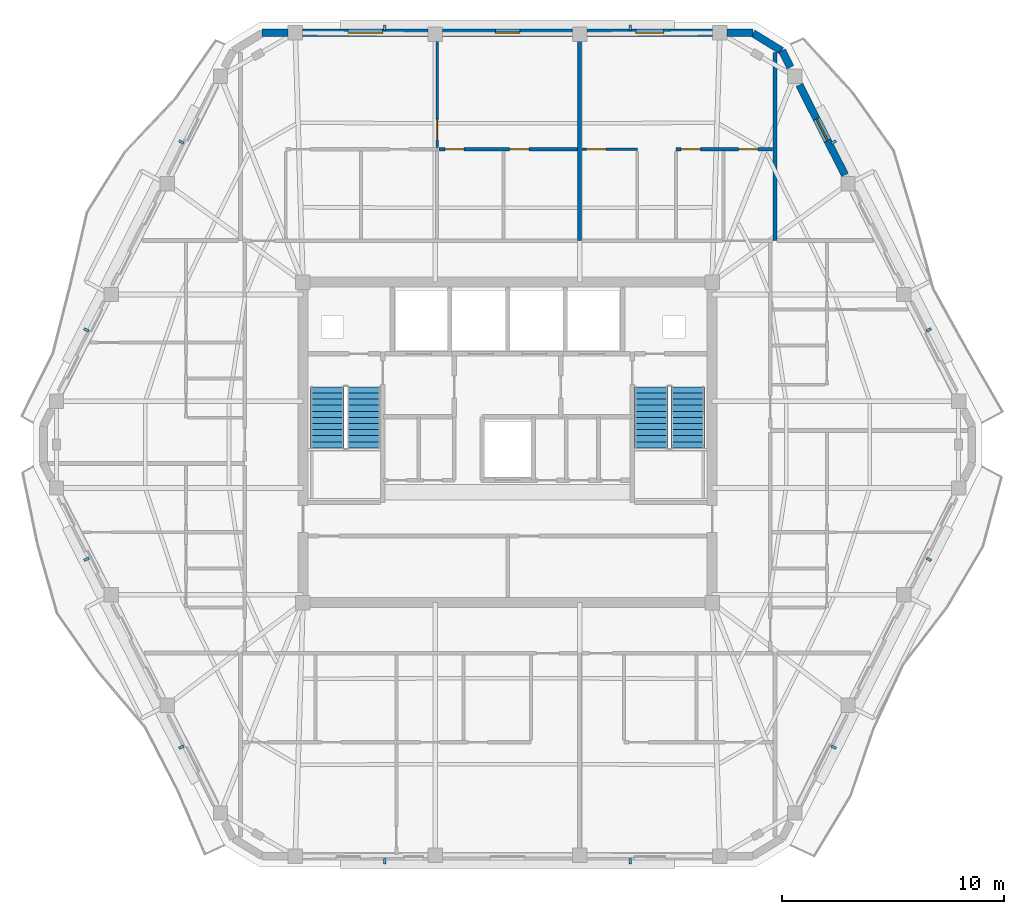
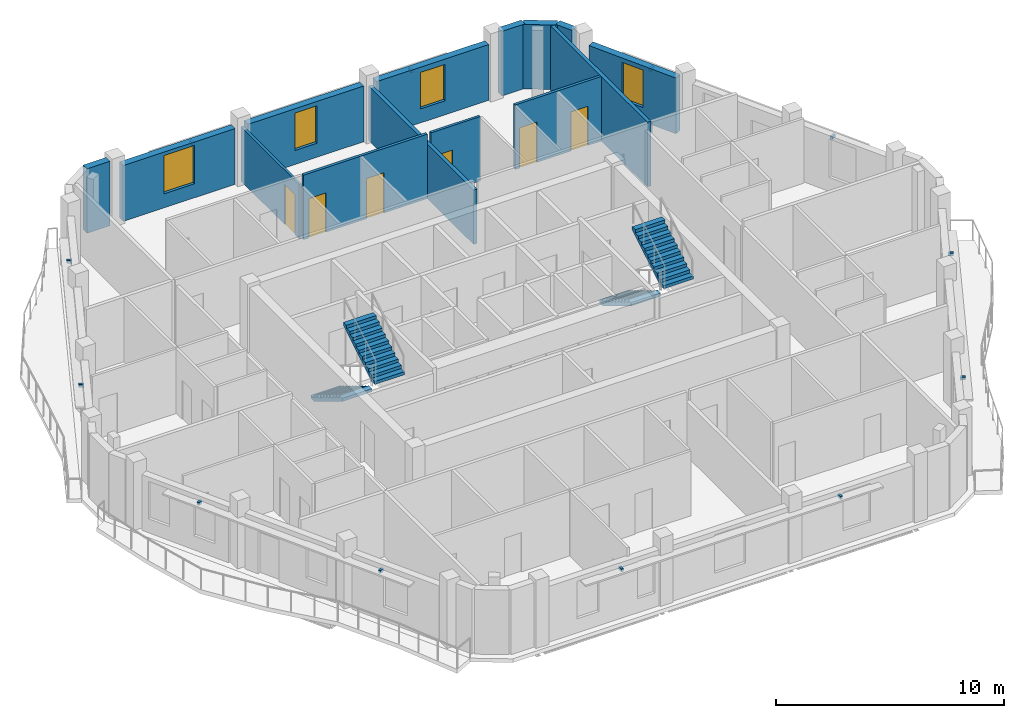
# One storey, part 8 of 11: 14 walls, 12 discrete accessories, 6 doors, 4 stair flights, 4 windows, 10 openings, 2 elements without a shape of their own.
"""IFC4 building model written with IfcOpenShell, lengths in metres."""

from ifc_helpers import new_model, si_unit, direction, frame, frame_2d, origin, origin_2d, place, context, subcontext, project, spatial, polyline, rectangle, outline, extrude, material, layer, layer_set, type_object, element, fill, aggregate, save


model = new_model("IFC4")

# Units and contexts
model_context = context("Model", 3, precision=1e-05, world=origin(), true_north=direction((0.0, 1.0)))
body_context = subcontext(model_context, "Body", "Model", "MODEL_VIEW")
ifc_project = project(units=[si_unit("LENGTHUNIT", "METRE"), si_unit("AREAUNIT", "SQUARE_METRE"), si_unit("VOLUMEUNIT", "CUBIC_METRE"), si_unit("PLANEANGLEUNIT", "RADIAN"), si_unit("MASSUNIT", "GRAM", prefix="KILO")], contexts=[model_context])

# Site, building, storey
site_placement = place(None, origin())
site = spatial("IfcSite", under=ifc_project, at=site_placement, CompositionType="ELEMENT")
building_placement = place(site_placement, origin())
building = spatial("IfcBuilding", under=site, at=building_placement, Name="Cinnabar Lancet Tower", CompositionType="ELEMENT")
storey_placement = place(building_placement, frame((0.0, 0.0, 259.85009765625)))
storey = spatial("IfcBuildingStorey", under=building, at=storey_placement, Name="L69", CompositionType="ELEMENT", Elevation=259.85009765625)

# Walls
ifc_material_1 = material(Name="Fire-rated twin-frame acoustic drywall", Category="gypsum")
ifc_layer_1 = layer(ifc_material_1, 0.179931640625)
ifc_layer_set_1 = layer_set([ifc_layer_1], Name="Fire-rated twin-frame acoustic drywall")
wall_type_1 = type_object("IfcWallType", Name="ARC-WL-PARTY-180", PredefinedType="PARTITIONING", material=ifc_layer_set_1)
wall_1_placement = place(storey_placement, frame((35.654052734375, 35.0, 0.0), z_axis=(0.0, 0.0, 1.0), x_axis=(0.0, 1.0, 0.0)))
element("IfcWall", 1, at=wall_1_placement, inside=storey, type_object=wall_type_1, Name="PW-L69-NPTY-357", PredefinedType="PARTITIONING", context=body_context, shape_type="SweptSolid", body=[
    extrude(rectangle(XDim=9.195068359375, YDim=0.179931640625, at=frame_2d((4.59765625, 0.0))), origin(), (0.0, 0.0, 1.0), 2.906982421875),
])
wall_2_placement = place(storey_placement, frame((44.449951171875, 35.0, 0.0), z_axis=(0.0, 0.0, 1.0), x_axis=(0.0, 1.0, 0.0)))
element("IfcWall", 2, at=wall_2_placement, inside=storey, type_object=wall_type_1, Name="PW-L69-NPTY-444", PredefinedType="PARTITIONING", context=body_context, shape_type="SweptSolid", body=[
    extrude(rectangle(XDim=8.48095703125, YDim=0.179931640625, at=frame_2d((4.240478515625, 0.0))), origin(), (0.0, 0.0, 1.0), 3.449951171875),
])

# Wall, opening, door
ifc_material_2 = material(Name="Gypsum plasterboard stud partition", Category="gypsum")
ifc_layer_2 = layer(ifc_material_2, 0.125)
ifc_layer_set_2 = layer_set([ifc_layer_2], Name="Gypsum plasterboard stud partition")
wall_type_2 = type_object("IfcWallType", Name="ARC-WL-UNIT-125", PredefinedType="PARTITIONING", material=ifc_layer_set_2)
wall_3_placement = place(storey_placement, frame((29.22607421875, 39.18994140625, 0.0), z_axis=(0.0, 0.0, 1.0), x_axis=(0.0, 1.0, 0.0)))
wall_3 = element("IfcWall", 3, at=wall_3_placement, inside=storey, type_object=wall_type_2, Name="UW-L69-N01-MBW", PredefinedType="PARTITIONING", context=body_context, shape_type="SweptSolid", body=[
    extrude(rectangle(XDim=5.094970703125, YDim=0.125, at=frame_2d((2.54736328125, 0.0))), origin(), (0.0, 0.0, 1.0), 2.906982421875),
])
opening_1_placement = place(wall_3_placement, frame((0.35009765625, 0.0, 0.0)))
opening_1 = element("IfcOpeningElement", 4, at=opening_1_placement, cuts=wall_3, Name="Opening RD-01", PredefinedType="OPENING", context=body_context, shape_type="SweptSolid", body=[
    extrude(rectangle(XDim=0.919921875, YDim=2.14990234375, at=frame_2d((0.4599609375, 1.074951171875))), frame((0.0, 0.072509765625, 0.0), z_axis=(0.0, -1.0, 0.0), x_axis=(1.0, 0.0, 0.0)), (0.0, 0.0, 1.0), 0.14501953125),
])
ifc_material_3 = material(Name="Engineered timber bedroom door", Category="wood")
door_type_1 = type_object("IfcDoorType", Name="ARC-DR-ROOM", OperationType="NOTDEFINED", PredefinedType="DOOR", material=ifc_material_3)
door_1_placement = place(opening_1_placement, origin())
door_1 = element("IfcDoor", 5, at=door_1_placement, inside=storey, type_object=door_type_1, Name="DR-L69-N01-MBD", OperationType="SINGLE_SWING_RIGHT", OverallHeight=2.14990234375, OverallWidth=0.919921875, PredefinedType="DOOR", context=body_context, shape_type="SweptSolid", body=[
    extrude(rectangle(XDim=0.919921875, YDim=2.14990234375, at=frame_2d((0.4599609375, 1.074951171875))), frame((0.0, 0.02490234375, 0.0), z_axis=(0.0, -1.0, 0.0), x_axis=(1.0, 0.0, 0.0)), (0.0, 0.0, 1.0), 0.050048828125),
])
fill(opening_1, door_1)

wall_4_placement = place(storey_placement, frame((35.7490234375, 39.114990234375, 0.0), z_axis=(0.0, 0.0, 1.0), x_axis=(1.0, 0.0, 0.0)))
wall_4 = element("IfcWall", 6, at=wall_4_placement, inside=storey, type_object=wall_type_2, Name="UW-L69-N02-SP0", PredefinedType="PARTITIONING", context=body_context, shape_type="SweptSolid", body=[
    extrude(rectangle(XDim=2.5009765625, YDim=0.125, at=frame_2d((1.25048828125, 0.0))), origin(), (0.0, 0.0, 1.0), 3.449951171875),
])
opening_2_placement = place(wall_4_placement, frame((0.199951171875, 0.0, 0.0)))
opening_2 = element("IfcOpeningElement", 7, at=opening_2_placement, cuts=wall_4, Name="Opening RD-02", PredefinedType="OPENING", context=body_context, shape_type="SweptSolid", body=[
    extrude(rectangle(XDim=0.8798828125, YDim=2.14990234375, at=frame_2d((0.43994140625, 1.074951171875))), frame((0.0, 0.072509765625, 0.0), z_axis=(0.0, -1.0, 0.0), x_axis=(1.0, 0.0, 0.0)), (0.0, 0.0, 1.0), 0.14501953125),
])
ifc_material_4 = material(Name="Engineered timber study door", Category="wood")
door_type_2 = type_object("IfcDoorType", Name="ARC-DR-STUDY", OperationType="NOTDEFINED", PredefinedType="DOOR", material=ifc_material_4)
door_2_placement = place(opening_2_placement, origin())
door_2 = element("IfcDoor", 8, at=door_2_placement, inside=storey, type_object=door_type_2, Name="DR-L69-N02-EX0", OperationType="SINGLE_SWING_RIGHT", OverallHeight=2.14990234375, OverallWidth=0.8798828125, PredefinedType="DOOR", context=body_context, shape_type="SweptSolid", body=[
    extrude(rectangle(XDim=0.8798828125, YDim=2.14990234375, at=frame_2d((0.43994140625, 1.074951171875))), frame((0.0, 0.02490234375, 0.0), z_axis=(0.0, -1.0, 0.0), x_axis=(1.0, 0.0, 0.0)), (0.0, 0.0, 1.0), 0.050048828125),
])
fill(opening_2, door_2)

# Wall, openings, doors
ifc_material_5 = material(Name="Moisture-resistant cement-board plumbing wall", Category="masonry")
ifc_layer_3 = layer(ifc_material_5, 0.139892578125)
ifc_layer_set_3 = layer_set([ifc_layer_3], Name="Moisture-resistant cement-board plumbing wall")
wall_type_3 = type_object("IfcWallType", Name="ARC-WL-WET-140", PredefinedType="PLUMBINGWALL", material=ifc_layer_set_3)
wall_5_placement = place(storey_placement, frame((29.301025390625, 39.114990234375, 0.0), z_axis=(0.0, 0.0, 1.0), x_axis=(1.0, 0.0, 0.0)))
wall_5 = element("IfcWall", 9, at=wall_5_placement, inside=storey, type_object=wall_type_3, Name="UW-L69-N01-SPM", PredefinedType="PLUMBINGWALL", context=body_context, shape_type="SweptSolid", body=[
    extrude(rectangle(XDim=6.258056640625, YDim=0.139892578125, at=frame_2d((3.12890625, 0.0))), origin(), (0.0, 0.0, 1.0), 3.449951171875),
])
opening_3_placement = place(wall_5_placement, frame((0.280029296875, 0.0, 0.0)))
opening_3 = element("IfcOpeningElement", 10, at=opening_3_placement, cuts=wall_5, Name="Opening BD-01", PredefinedType="OPENING", context=body_context, shape_type="SweptSolid", body=[
    extrude(rectangle(XDim=0.860107421875, YDim=2.10009765625, at=frame_2d((0.43017578125, 1.050048828125))), frame((0.0, 0.079833984375, 0.0), z_axis=(0.0, -1.0, 0.0), x_axis=(1.0, 0.0, 0.0)), (0.0, 0.0, 1.0), 0.159912109375),
])
opening_4_placement = place(wall_5_placement, frame((3.18798828125, 0.0, 0.0)))
opening_4 = element("IfcOpeningElement", 11, at=opening_4_placement, cuts=wall_5, Name="Opening RD-02", PredefinedType="OPENING", context=body_context, shape_type="SweptSolid", body=[
    extrude(rectangle(XDim=0.8798828125, YDim=2.14990234375, at=frame_2d((0.43994140625, 1.074951171875))), frame((0.0, 0.079833984375, 0.0), z_axis=(0.0, -1.0, 0.0), x_axis=(1.0, 0.0, 0.0)), (0.0, 0.0, 1.0), 0.159912109375),
])
ifc_material_6 = material(Name="Moisture-resistant timber bathroom door", Category="wood")
door_type_3 = type_object("IfcDoorType", Name="ARC-DR-BATH", OperationType="NOTDEFINED", PredefinedType="DOOR", material=ifc_material_6)
door_3_placement = place(opening_3_placement, origin())
door_3 = element("IfcDoor", 12, at=door_3_placement, inside=storey, type_object=door_type_3, Name="DR-L69-N01-ENS", OperationType="SINGLE_SWING_LEFT", OverallHeight=2.10009765625, OverallWidth=0.860107421875, PredefinedType="DOOR", context=body_context, shape_type="SweptSolid", body=[
    extrude(rectangle(XDim=0.860107421875, YDim=2.10009765625, at=frame_2d((0.43017578125, 1.050048828125))), frame((0.0, 0.02490234375, 0.0), z_axis=(0.0, -1.0, 0.0), x_axis=(1.0, 0.0, 0.0)), (0.0, 0.0, 1.0), 0.050048828125),
])
fill(opening_3, door_3)
door_4_placement = place(opening_4_placement, origin())
door_4 = element("IfcDoor", 13, at=door_4_placement, inside=storey, type_object=door_type_2, Name="DR-L69-N01-ENS-WDR", OperationType="SINGLE_SWING_RIGHT", OverallHeight=2.14990234375, OverallWidth=0.8798828125, PredefinedType="DOOR", context=body_context, shape_type="SweptSolid", body=[
    extrude(rectangle(XDim=0.8798828125, YDim=2.14990234375, at=frame_2d((0.43994140625, 1.074951171875))), frame((0.0, 0.02490234375, 0.0), z_axis=(0.0, -1.0, 0.0), x_axis=(1.0, 0.0, 0.0)), (0.0, 0.0, 1.0), 0.050048828125),
])
fill(opening_4, door_4)

wall_6_placement = place(storey_placement, frame((40.0, 39.114990234375, 0.0), z_axis=(0.0, 0.0, 1.0), x_axis=(1.0, 0.0, 0.0)))
wall_6 = element("IfcWall", 14, at=wall_6_placement, inside=storey, type_object=wall_type_3, Name="UW-L69-N02-SPL", PredefinedType="PLUMBINGWALL", context=body_context, shape_type="SweptSolid", body=[
    extrude(rectangle(XDim=4.35498046875, YDim=0.139892578125, at=frame_2d((2.177490234375, 0.0))), origin(), (0.0, 0.0, 1.0), 3.449951171875),
])
opening_5_placement = place(wall_6_placement, frame((2.821044921875, 0.0, 0.0)))
opening_5 = element("IfcOpeningElement", 15, at=opening_5_placement, cuts=wall_6, Name="Opening BD-01", PredefinedType="OPENING", context=body_context, shape_type="SweptSolid", body=[
    extrude(rectangle(XDim=0.860107421875, YDim=2.10009765625, at=frame_2d((0.43017578125, 1.050048828125))), frame((0.0, 0.079833984375, 0.0), z_axis=(0.0, -1.0, 0.0), x_axis=(1.0, 0.0, 0.0)), (0.0, 0.0, 1.0), 0.159912109375),
])
opening_6_placement = place(wall_6_placement, frame((0.219970703125, 0.0, 0.0)))
opening_6 = element("IfcOpeningElement", 16, at=opening_6_placement, cuts=wall_6, Name="Opening RD-02", PredefinedType="OPENING", context=body_context, shape_type="SweptSolid", body=[
    extrude(rectangle(XDim=0.8798828125, YDim=2.14990234375, at=frame_2d((0.43994140625, 1.074951171875))), frame((0.0, 0.079833984375, 0.0), z_axis=(0.0, -1.0, 0.0), x_axis=(1.0, 0.0, 0.0)), (0.0, 0.0, 1.0), 0.159912109375),
])
door_5_placement = place(opening_5_placement, origin())
door_5 = element("IfcDoor", 17, at=door_5_placement, inside=storey, type_object=door_type_3, Name="DR-L69-N02-BTH", OperationType="SINGLE_SWING_RIGHT", OverallHeight=2.10009765625, OverallWidth=0.860107421875, PredefinedType="DOOR", context=body_context, shape_type="SweptSolid", body=[
    extrude(rectangle(XDim=0.860107421875, YDim=2.10009765625, at=frame_2d((0.43017578125, 1.050048828125))), frame((0.0, 0.02490234375, 0.0), z_axis=(0.0, -1.0, 0.0), x_axis=(1.0, 0.0, 0.0)), (0.0, 0.0, 1.0), 0.050048828125),
])
fill(opening_5, door_5)
door_6_placement = place(opening_6_placement, origin())
door_6 = element("IfcDoor", 18, at=door_6_placement, inside=storey, type_object=door_type_2, Name="DR-L69-N02-KIT", OperationType="SINGLE_SWING_LEFT", OverallHeight=2.14990234375, OverallWidth=0.8798828125, PredefinedType="DOOR", context=body_context, shape_type="SweptSolid", body=[
    extrude(rectangle(XDim=0.8798828125, YDim=2.14990234375, at=frame_2d((0.43994140625, 1.074951171875))), frame((0.0, 0.02490234375, 0.0), z_axis=(0.0, -1.0, 0.0), x_axis=(1.0, 0.0, 0.0)), (0.0, 0.0, 1.0), 0.050048828125),
])
fill(opening_6, door_6)

# Wall
ifc_material_7 = material(Name="Cinnabar red clay brick", Category="masonry")
ifc_layer_4 = layer(ifc_material_7, 0.340087890625)
ifc_layer_set_4 = layer_set([ifc_layer_4], Name="Cinnabar red clay brick")
wall_type_4 = type_object("IfcWallType", Name="ENV-WL-BRK-RED-340", PredefinedType="STANDARD", material=ifc_layer_set_4)
wall_7_placement = place(storey_placement, frame((44.7529296875, 43.554931640625, 0.0), z_axis=(0.0, 0.0, 1.0), x_axis=(-0.851680557619, 0.52406128246, 0.0)))
element("IfcWall", 19, at=wall_7_placement, inside=storey, type_object=wall_type_4, Name="L69 Chamfered Corner Brick Pier 4.1", PredefinedType="STANDARD", context=body_context, shape_type="SweptSolid", body=[
    extrude(rectangle(XDim=1.507568359375, YDim=0.340087890625, at=frame_2d((0.75390625, 0.0))), origin(), (0.0, 0.0, 1.0), 3.449951171875),
])

# Wall, opening, window
wall_8_placement = place(storey_placement, frame((47.612060546875, 37.9599609375, 0.0), z_axis=(0.0, 0.0, 1.0), x_axis=(-0.45154039276, 0.892250678737, 0.0)))
wall_8 = element("IfcWall", 20, at=wall_8_placement, inside=storey, type_object=wall_type_4, Name="L69 Face 3 Masonry Bay Wall 4", PredefinedType="STANDARD", context=body_context, shape_type="SweptSolid", body=[
    extrude(rectangle(XDim=4.5537109375, YDim=0.340087890625, at=frame_2d((2.27685546875, 0.0))), origin(), (0.0, 0.0, 1.0), 2.98291015625),
])
opening_7_placement = place(wall_8_placement, frame((1.72705078125, 0.0, 0.75)))
opening_7 = element("IfcOpeningElement", 21, at=opening_7_placement, cuts=wall_8, Name="Opening WN-04", PredefinedType="OPENING", context=body_context, shape_type="SweptSolid", body=[
    extrude(rectangle(XDim=1.10009765625, YDim=2.0, at=frame_2d((0.550048828125, 1.0))), frame((0.0, 0.179931640625, 0.0), z_axis=(0.0, -1.0, 0.0), x_axis=(1.0, 0.0, 0.0)), (0.0, 0.0, 1.0), 0.360107421875),
])
ifc_material_8 = material(Name="Thermally broken bronze-anodized aluminium tall lancet window", Category="aluminium")
window_type_1 = type_object("IfcWindowType", Name="ENV-WN-LANCET-1100", PartitioningType="SINGLE_PANEL", PredefinedType="WINDOW", material=ifc_material_8)
window_1_placement = place(opening_7_placement, origin())
window_1 = element("IfcWindow", 22, at=window_1_placement, inside=storey, type_object=window_type_1, Name="L69 Face 3 Gothic Lancet Window 4", OverallHeight=2.0, OverallWidth=1.10009765625, PartitioningType="SINGLE_PANEL", PredefinedType="WINDOW", context=body_context, shape_type="SweptSolid", body=[
    extrude(rectangle(XDim=1.10009765625, YDim=2.0, at=frame_2d((0.550048828125, 1.0))), frame((0.0, 0.030029296875, 0.0), z_axis=(0.0, -1.0, 0.0), x_axis=(1.0, 0.0, 0.0)), (0.0, 0.0, 1.0), 0.06005859375),
])
fill(opening_7, window_1)

# Walls
wall_9_placement = place(storey_placement, frame((45.157958984375, 42.81103515625, 0.0), z_axis=(0.0, 0.0, 1.0), x_axis=(-0.451907025977, 0.8920650424, 0.0)))
element("IfcWall", 23, at=wall_9_placement, inside=storey, type_object=wall_type_4, Name="L69 Face 3 Masonry Bay Wall 5", PredefinedType="STANDARD", context=body_context, shape_type="SweptSolid", body=[
    extrude(rectangle(XDim=0.85205078125, YDim=0.340087890625, at=frame_2d((0.426025390625, 0.0))), origin(), (0.0, 0.0, 1.0), 3.449951171875),
])
wall_10_placement = place(storey_placement, frame((43.47412109375, 44.3701171875, 0.0), z_axis=(0.0, 0.0, 1.0), x_axis=(-1.0, 0.0, 0.0)))
element("IfcWall", 24, at=wall_10_placement, inside=storey, type_object=wall_type_4, Name="L69 Face 4 Masonry Bay Wall 1", PredefinedType="STANDARD", context=body_context, shape_type="SweptSolid", body=[
    extrude(rectangle(XDim=1.173095703125, YDim=0.340087890625, at=frame_2d((0.58642578125, 0.0))), origin(), (0.0, 0.0, 1.0), 3.449951171875),
])

# Wall, opening, window
wall_11_placement = place(storey_placement, frame((41.64306640625, 44.3701171875, 0.0), z_axis=(0.0, 0.0, 1.0), x_axis=(-1.0, 0.0, 0.0)))
wall_11 = element("IfcWall", 25, at=wall_11_placement, inside=storey, type_object=wall_type_4, Name="L69 Face 4 Masonry Bay Wall 2", PredefinedType="STANDARD", context=body_context, shape_type="SweptSolid", body=[
    extrude(rectangle(XDim=5.66015625, YDim=0.340087890625, at=frame_2d((2.830078125, 0.0))), origin(), (0.0, 0.0, 1.0), 2.98291015625),
])
opening_8_placement = place(wall_11_placement, frame((2.205078125, 0.0, 0.75)))
opening_8 = element("IfcOpeningElement", 26, at=opening_8_placement, cuts=wall_11, Name="Opening WN-03", PredefinedType="OPENING", context=body_context, shape_type="SweptSolid", body=[
    extrude(rectangle(XDim=1.25, YDim=1.949951171875, at=frame_2d((0.625, 0.97509765625))), frame((0.0, 0.179931640625, 0.0), z_axis=(0.0, -1.0, 0.0), x_axis=(1.0, 0.0, 0.0)), (0.0, 0.0, 1.0), 0.360107421875),
])
ifc_material_9 = material(Name="Thermally broken bronze-anodized aluminium low-E double glazing", Category="aluminium")
window_type_2 = type_object("IfcWindowType", Name="ENV-WN-LANCET-1250", PartitioningType="SINGLE_PANEL", PredefinedType="WINDOW", material=ifc_material_9)
window_2_placement = place(opening_8_placement, origin())
window_2 = element("IfcWindow", 27, at=window_2_placement, inside=storey, type_object=window_type_2, Name="L69 Face 4 Gothic Lancet Window 2", OverallHeight=1.949951171875, OverallWidth=1.25, PartitioningType="SINGLE_PANEL", PredefinedType="WINDOW", context=body_context, shape_type="SweptSolid", body=[
    extrude(rectangle(XDim=1.25, YDim=1.949951171875, at=frame_2d((0.625, 0.97509765625))), frame((0.0, 0.030029296875, 0.0), z_axis=(0.0, -1.0, 0.0), x_axis=(1.0, 0.0, 0.0)), (0.0, 0.0, 1.0), 0.06005859375),
])
fill(opening_8, window_2)

wall_12_placement = place(storey_placement, frame((35.324951171875, 44.3701171875, 0.0), z_axis=(0.0, 0.0, 1.0), x_axis=(-1.0, 0.0, 0.0)))
wall_12 = element("IfcWall", 28, at=wall_12_placement, inside=storey, type_object=wall_type_4, Name="L69 Face 4 Masonry Bay Wall 3", PredefinedType="STANDARD", context=body_context, shape_type="SweptSolid", body=[
    extrude(rectangle(XDim=5.849853515625, YDim=0.340087890625, at=frame_2d((2.9248046875, 0.0))), origin(), (0.0, 0.0, 1.0), 2.98291015625),
])
opening_9_placement = place(wall_12_placement, frame((2.375, 0.0, 0.75)))
opening_9 = element("IfcOpeningElement", 29, at=opening_9_placement, cuts=wall_12, Name="Opening WN-04", PredefinedType="OPENING", context=body_context, shape_type="SweptSolid", body=[
    extrude(rectangle(XDim=1.10009765625, YDim=2.0, at=frame_2d((0.550048828125, 1.0))), frame((0.0, 0.179931640625, 0.0), z_axis=(0.0, -1.0, 0.0), x_axis=(1.0, 0.0, 0.0)), (0.0, 0.0, 1.0), 0.360107421875),
])
window_3_placement = place(opening_9_placement, origin())
window_3 = element("IfcWindow", 30, at=window_3_placement, inside=storey, type_object=window_type_1, Name="L69 Face 4 Gothic Lancet Window 3", OverallHeight=2.0, OverallWidth=1.10009765625, PartitioningType="SINGLE_PANEL", PredefinedType="WINDOW", context=body_context, shape_type="SweptSolid", body=[
    extrude(rectangle(XDim=1.10009765625, YDim=2.0, at=frame_2d((0.550048828125, 1.0))), frame((0.0, 0.030029296875, 0.0), z_axis=(0.0, -1.0, 0.0), x_axis=(1.0, 0.0, 0.0)), (0.0, 0.0, 1.0), 0.06005859375),
])
fill(opening_9, window_3)

wall_13_placement = place(storey_placement, frame((28.81689453125, 44.3701171875, 0.0), z_axis=(0.0, 0.0, 1.0), x_axis=(-1.0, 0.0, 0.0)))
wall_13 = element("IfcWall", 31, at=wall_13_placement, inside=storey, type_object=wall_type_4, Name="L69 Face 4 Masonry Bay Wall 4", PredefinedType="STANDARD", context=body_context, shape_type="SweptSolid", body=[
    extrude(rectangle(XDim=5.659912109375, YDim=0.340087890625, at=frame_2d((2.830078125, 0.0))), origin(), (0.0, 0.0, 1.0), 2.98291015625),
])
opening_10_placement = place(wall_13_placement, frame((2.054931640625, 0.0, 0.75)))
opening_10 = element("IfcOpeningElement", 32, at=opening_10_placement, cuts=wall_13, Name="Opening WN-01", PredefinedType="OPENING", context=body_context, shape_type="SweptSolid", body=[
    extrude(rectangle(XDim=1.550048828125, YDim=2.050048828125, at=frame_2d((0.77490234375, 1.02490234375))), frame((0.0, 0.179931640625, 0.0), z_axis=(0.0, -1.0, 0.0), x_axis=(1.0, 0.0, 0.0)), (0.0, 0.0, 1.0), 0.360107421875),
])
ifc_material_10 = material(Name="Thermally broken bronze-anodized aluminium low-E double glazing", Category="aluminium")
window_type_3 = type_object("IfcWindowType", Name="ENV-WN-LANCET-1550", PartitioningType="SINGLE_PANEL", PredefinedType="WINDOW", material=ifc_material_10)
window_4_placement = place(opening_10_placement, origin())
window_4 = element("IfcWindow", 33, at=window_4_placement, inside=storey, type_object=window_type_3, Name="L69 Face 4 Gothic Lancet Window 4", OverallHeight=2.050048828125, OverallWidth=1.550048828125, PartitioningType="SINGLE_PANEL", PredefinedType="WINDOW", context=body_context, shape_type="SweptSolid", body=[
    extrude(rectangle(XDim=1.550048828125, YDim=2.050048828125, at=frame_2d((0.77490234375, 1.02490234375))), frame((0.0, 0.030029296875, 0.0), z_axis=(0.0, -1.0, 0.0), x_axis=(1.0, 0.0, 0.0)), (0.0, 0.0, 1.0), 0.06005859375),
])
fill(opening_10, window_4)

# Wall
wall_14_placement = place(storey_placement, frame((22.4990234375, 44.3701171875, 0.0), z_axis=(0.0, 0.0, 1.0), x_axis=(-1.0, 0.0, 0.0)))
element("IfcWall", 34, at=wall_14_placement, inside=storey, type_object=wall_type_4, Name="L69 Face 4 Masonry Bay Wall 5", PredefinedType="STANDARD", context=body_context, shape_type="SweptSolid", body=[
    extrude(rectangle(XDim=1.173095703125, YDim=0.340087890625, at=frame_2d((0.58642578125, 0.0))), origin(), (0.0, 0.0, 1.0), 3.449951171875),
])

# Stair, stair flights
ifc_material_11 = material(Name="Concrete C40/50", Category="concrete")
stair_type = type_object("IfcStairType", Name="ST-CORE", PredefinedType="HALF_TURN_STAIR", material=ifc_material_11)
stair_1_placement = place(storey_placement, origin())
stair_1 = element("IfcStair", 35, at=stair_1_placement, inside=storey, type_object=stair_type, Name="L69 ST-1", PredefinedType="HALF_TURN_STAIR")
ifc_material_12 = material(Name="Concrete C40/50", Category="concrete")
stair_flight_type = type_object("IfcStairFlightType", Name="FLIGHT-CORE", PredefinedType="STRAIGHT", material=ifc_material_12)
stair_flight_1_placement = place(storey_placement, frame((24.27490234375, 28.39990234375, 0.0), z_axis=(0.0, 0.0, 1.0), x_axis=(0.0, -1.0, 0.0)))
stair_flight_1 = element("IfcStairFlight", 36, at=stair_flight_1_placement, type_object=stair_flight_type, Name="ST-1 flight 1", NumberOfRisers=11, NumberOfTreads=10, PredefinedType="STRAIGHT", RiserHeight=0.165909091, TreadLength=0.275, context=body_context, shape_type="SweptSolid", body=[
    extrude(outline(polyline([(0.0, 0.0), (0.0, 0.166015625), (0.27490234375, 0.166015625), (0.27490234375, 0.331787109375), (0.550048828125, 0.331787109375), (0.550048828125, 0.497802734375), (0.824951171875, 0.497802734375), (0.824951171875, 0.66357421875), (1.10009765625, 0.66357421875), (1.10009765625, 0.82958984375), (1.375, 0.82958984375), (1.375, 0.995361328125), (1.64990234375, 0.995361328125), (1.64990234375, 1.161376953125), (1.925048828125, 1.161376953125), (1.925048828125, 1.327392578125), (2.199951171875, 1.327392578125), (2.199951171875, 1.4931640625), (2.47509765625, 1.4931640625), (2.47509765625, 1.6591796875), (2.75, 1.6591796875), (2.75, 1.824951171875), (2.75, 1.484130859375), (0.290283203125, 0.0), (0.0, 0.0)])), frame((0.0, 0.75, 0.0), z_axis=(0.0, -1.0, 0.0), x_axis=(1.0, 0.0, 0.0)), (0.0, 0.0, 1.0), 1.5),
])
stair_flight_2_placement = place(storey_placement, frame((25.925048828125, 25.64990234375, 1.824951171875), z_axis=(0.0, 0.0, 1.0), x_axis=(0.0, 1.0, 0.0)))
stair_flight_2 = element("IfcStairFlight", 37, at=stair_flight_2_placement, type_object=stair_flight_type, Name="ST-1 flight 2", NumberOfRisers=11, NumberOfTreads=10, PredefinedType="STRAIGHT", RiserHeight=0.165909091, TreadLength=0.275, context=body_context, shape_type="SweptSolid", body=[
    extrude(outline(polyline([(0.0, 0.0), (0.0, 0.166015625), (0.27490234375, 0.166015625), (0.27490234375, 0.331787109375), (0.550048828125, 0.331787109375), (0.550048828125, 0.497802734375), (0.824951171875, 0.497802734375), (0.824951171875, 0.66357421875), (1.10009765625, 0.66357421875), (1.10009765625, 0.82958984375), (1.375, 0.82958984375), (1.375, 0.995361328125), (1.64990234375, 0.995361328125), (1.64990234375, 1.161376953125), (1.925048828125, 1.161376953125), (1.925048828125, 1.327392578125), (2.199951171875, 1.327392578125), (2.199951171875, 1.4931640625), (2.47509765625, 1.4931640625), (2.47509765625, 1.6591796875), (2.75, 1.6591796875), (2.75, 1.824951171875), (2.75, 1.484130859375), (0.290283203125, 0.0), (0.0, 0.0)])), frame((0.0, 0.75, 0.0), z_axis=(0.0, -1.0, 0.0), x_axis=(1.0, 0.0, 0.0)), (0.0, 0.0, 1.0), 1.5),
])
aggregate(stair_1, [stair_flight_1, stair_flight_2])

stair_2_placement = place(storey_placement, origin())
stair_2 = element("IfcStair", 38, at=stair_2_placement, inside=storey, type_object=stair_type, Name="L69 ST-2", PredefinedType="HALF_TURN_STAIR")
stair_flight_3_placement = place(storey_placement, frame((38.875, 28.39990234375, 0.0), z_axis=(0.0, 0.0, 1.0), x_axis=(0.0, -1.0, 0.0)))
stair_flight_3 = element("IfcStairFlight", 39, at=stair_flight_3_placement, type_object=stair_flight_type, Name="ST-2 flight 1", NumberOfRisers=11, NumberOfTreads=10, PredefinedType="STRAIGHT", RiserHeight=0.165909091, TreadLength=0.275, context=body_context, shape_type="SweptSolid", body=[
    extrude(outline(polyline([(0.0, 0.0), (0.0, 0.166015625), (0.27490234375, 0.166015625), (0.27490234375, 0.331787109375), (0.550048828125, 0.331787109375), (0.550048828125, 0.497802734375), (0.824951171875, 0.497802734375), (0.824951171875, 0.66357421875), (1.10009765625, 0.66357421875), (1.10009765625, 0.82958984375), (1.375, 0.82958984375), (1.375, 0.995361328125), (1.64990234375, 0.995361328125), (1.64990234375, 1.161376953125), (1.925048828125, 1.161376953125), (1.925048828125, 1.327392578125), (2.199951171875, 1.327392578125), (2.199951171875, 1.4931640625), (2.47509765625, 1.4931640625), (2.47509765625, 1.6591796875), (2.75, 1.6591796875), (2.75, 1.824951171875), (2.75, 1.484130859375), (0.290283203125, 0.0), (0.0, 0.0)])), frame((0.0, 0.75, 0.0), z_axis=(0.0, -1.0, 0.0), x_axis=(1.0, 0.0, 0.0)), (0.0, 0.0, 1.0), 1.5),
])
stair_flight_4_placement = place(storey_placement, frame((40.52490234375, 25.64990234375, 1.824951171875), z_axis=(0.0, 0.0, 1.0), x_axis=(0.0, 1.0, 0.0)))
stair_flight_4 = element("IfcStairFlight", 40, at=stair_flight_4_placement, type_object=stair_flight_type, Name="ST-2 flight 2", NumberOfRisers=11, NumberOfTreads=10, PredefinedType="STRAIGHT", RiserHeight=0.165909091, TreadLength=0.275, context=body_context, shape_type="SweptSolid", body=[
    extrude(outline(polyline([(0.0, 0.0), (0.0, 0.166015625), (0.27490234375, 0.166015625), (0.27490234375, 0.331787109375), (0.550048828125, 0.331787109375), (0.550048828125, 0.497802734375), (0.824951171875, 0.497802734375), (0.824951171875, 0.66357421875), (1.10009765625, 0.66357421875), (1.10009765625, 0.82958984375), (1.375, 0.82958984375), (1.375, 0.995361328125), (1.64990234375, 0.995361328125), (1.64990234375, 1.161376953125), (1.925048828125, 1.161376953125), (1.925048828125, 1.327392578125), (2.199951171875, 1.327392578125), (2.199951171875, 1.4931640625), (2.47509765625, 1.4931640625), (2.47509765625, 1.6591796875), (2.75, 1.6591796875), (2.75, 1.824951171875), (2.75, 1.484130859375), (0.290283203125, 0.0), (0.0, 0.0)])), frame((0.0, 0.75, 0.0), z_axis=(0.0, -1.0, 0.0), x_axis=(1.0, 0.0, 0.0)), (0.0, 0.0, 1.0), 1.5),
])
aggregate(stair_2, [stair_flight_3, stair_flight_4])

# Discrete accessories
ifc_material_13 = material(Name="Stainless steel 316 facade fixing bracket", Category="steel")
discrete_accessory_type = type_object("IfcDiscreteAccessoryType", Name="ENV-ACC-BRK-180", PredefinedType="BRACKET", material=ifc_material_13)
for number, where, z_axis, x_axis, name in (
    (41, (26.863037109375, 7.010009765625, 2.60009765625), (0.0, 0.0, 1.0), (1.0, 0.0, 0.0), "L69 Face 1 Sunshade Bracket A"),
    (42, (37.93701171875, 7.010009765625, 2.60009765625), (0.0, 0.0, 1.0), (1.0, 0.0, 0.0), "L69 Face 1 Sunshade Bracket B"),
    (43, (47.10791015625, 12.157958984375, 2.60009765625), (0.0, 0.0, 1.0), (0.451375984307, 0.89233386173, 0.0), "L69 Face 2 Sunshade Bracket A"),
    (44, (51.39306640625, 20.6298828125, 2.60009765625), (0.0, 0.0, 1.0), (0.451375984307, 0.89233386173, 0.0), "L69 Face 2 Sunshade Bracket B"),
    (45, (51.39306640625, 30.969970703125, 2.60009765625), (0.0, 0.0, 1.0), (-0.451375984307, 0.89233386173, 0.0), "L69 Face 3 Sunshade Bracket A"),
    (46, (47.10791015625, 39.44189453125, 2.60009765625), (0.0, 0.0, 1.0), (-0.451375984307, 0.89233386173, 0.0), "L69 Face 3 Sunshade Bracket B"),
    (47, (37.93701171875, 44.590087890625, 2.60009765625), (0.0, 0.0, 1.0), (-1.0, 0.0, 0.0), "L69 Face 4 Sunshade Bracket A"),
    (48, (26.863037109375, 44.590087890625, 2.60009765625), (0.0, 0.0, 1.0), (-1.0, 0.0, 0.0), "L69 Face 4 Sunshade Bracket B"),
    (49, (17.69189453125, 39.44189453125, 2.60009765625), (0.0, 0.0, 1.0), (-0.451375984307, -0.89233386173, 0.0), "L69 Face 5 Sunshade Bracket A"),
    (50, (13.406982421875, 30.969970703125, 2.60009765625), (0.0, 0.0, 1.0), (-0.451375984307, -0.89233386173, 0.0), "L69 Face 5 Sunshade Bracket B"),
    (51, (13.406982421875, 20.6298828125, 2.60009765625), (0.0, 0.0, 1.0), (0.451375984307, -0.89233386173, 0.0), "L69 Face 6 Sunshade Bracket A"),
    (52, (17.69189453125, 12.157958984375, 2.60009765625), (0.0, 0.0, 1.0), (0.451375984307, -0.89233386173, 0.0), "L69 Face 6 Sunshade Bracket B"),
):
    element("IfcDiscreteAccessory", number, at=place(storey_placement, frame(where, z_axis=z_axis, x_axis=x_axis)), inside=storey, type_object=discrete_accessory_type, Name=name, PredefinedType="BRACKET", context=body_context, shape_type="SweptSolid", body=[
        extrude(rectangle(XDim=0.1201171875, YDim=0.239990234375, at=origin_2d()), origin(), (0.0, 0.0, 1.0), 0.159912109375),
    ])

save(model, "model.ifc")
